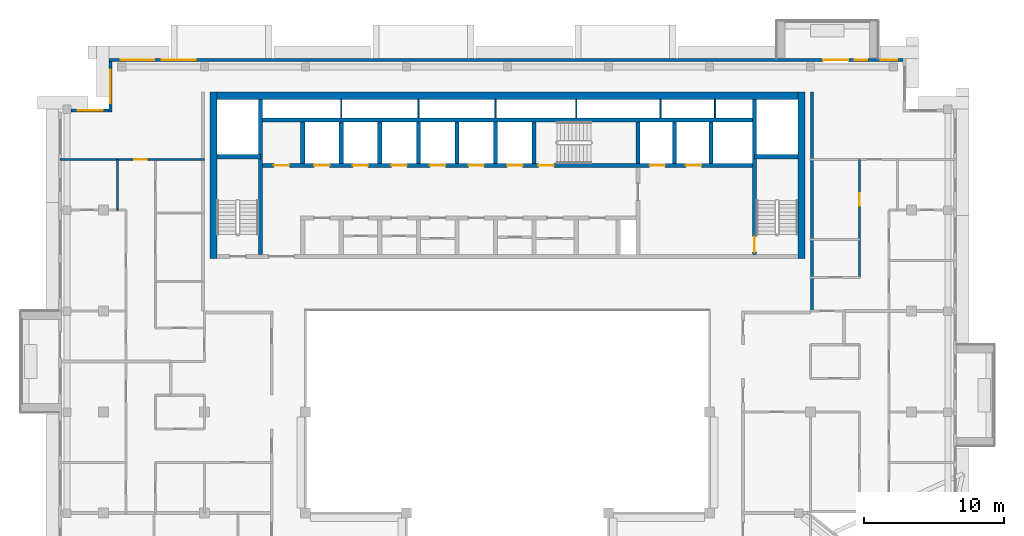
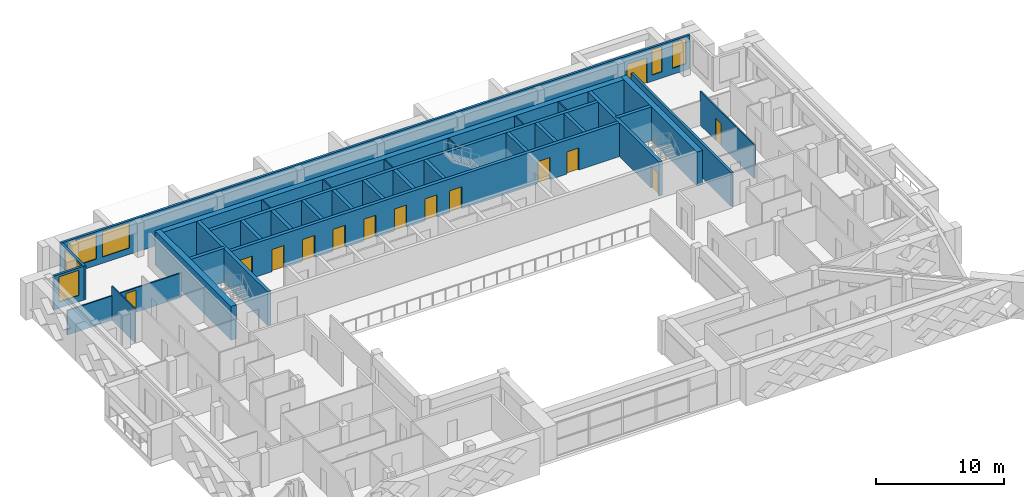
# One storey, part 10 of 18: 32 walls, 14 doors, 6 windows, 20 openings.
"""IFC4 building model written with IfcOpenShell, lengths in metres."""

from ifc_helpers import new_model, si_unit, direction, frame, frame_2d, origin, place, context, subcontext, project, spatial, rectangle, extrude, material, layer, layer_set, type_object, element, fill, save


model = new_model("IFC4")

# Units and contexts
model_context = context("Model", 3, precision=1e-05, world=origin(), true_north=direction((0.0, 1.0)))
body_context = subcontext(model_context, "Body", "Model", "MODEL_VIEW")
ifc_project = project(units=[si_unit("LENGTHUNIT", "METRE"), si_unit("AREAUNIT", "SQUARE_METRE"), si_unit("VOLUMEUNIT", "CUBIC_METRE"), si_unit("PLANEANGLEUNIT", "RADIAN"), si_unit("MASSUNIT", "GRAM", prefix="KILO")], contexts=[model_context])

# Site, building, storey
site_placement = place(None, origin())
site = spatial("IfcSite", under=ifc_project, at=site_placement, CompositionType="ELEMENT")
building_placement = place(site_placement, origin())
building = spatial("IfcBuilding", under=site, at=building_placement, Name="Saffron Iwan Residences", CompositionType="ELEMENT")
storey_placement = place(building_placement, frame((0.0, 0.0, 260.5)))
storey = spatial("IfcBuildingStorey", under=building, at=storey_placement, Name="L70", CompositionType="ELEMENT", Elevation=260.5)

# Wall, openings, door, windows
ifc_material_1 = material(Name="Concrete C40/50", Category="concrete")
ifc_layer_1 = layer(ifc_material_1, 0.199951171875)
ifc_layer_set_1 = layer_set([ifc_layer_1], Name="Concrete C40/50")
wall_type_1 = type_object("IfcWallType", Name="EXTERNAL WALL 200", PredefinedType="SOLIDWALL", material=ifc_layer_set_1)
wall_1_placement = place(storey_placement, frame((78.60009765625, 80.300048828125, 0.0), z_axis=(0.0, 0.0, 1.0), x_axis=(-1.0, 0.0, 0.0)))
wall_1 = element("IfcWall", 1, at=wall_1_placement, inside=storey, type_object=wall_type_1, Name="External wall L70 F5.0", PredefinedType="SOLIDWALL", context=body_context, shape_type="SweptSolid", body=[
    extrude(rectangle(XDim=56.60009765625, YDim=0.199951171875, at=frame_2d((28.300048828125, 0.0))), origin(), (0.0, 0.0, 1.0), 3.219970703125),
])
opening_1_placement = place(wall_1_placement, frame((3.89990234375, 0.0, 0.0)))
opening_1 = element("IfcOpeningElement", 2, at=opening_1_placement, cuts=wall_1, Name="Opening BD1", PredefinedType="OPENING", context=body_context, shape_type="SweptSolid", body=[
    extrude(rectangle(XDim=1.800048828125, YDim=2.39990234375, at=frame_2d((0.89990234375, 1.199951171875))), frame((0.0, 0.10986328125, 0.0), z_axis=(0.0, -1.0, 0.0), x_axis=(1.0, 0.0, 0.0)), (0.0, 0.0, 1.0), 0.219970703125),
])
opening_2_placement = place(wall_1_placement, frame((50.433349609375, 0.0, 0.60009765625)))
opening_2 = element("IfcOpeningElement", 3, at=opening_2_placement, cuts=wall_1, Name="Opening W1", PredefinedType="OPENING", context=body_context, shape_type="SweptSolid", body=[
    extrude(rectangle(XDim=2.39990234375, YDim=2.39990234375, at=frame_2d((1.199951171875, 1.199951171875))), frame((0.0, 0.10986328125, 0.0), z_axis=(0.0, -1.0, 0.0), x_axis=(1.0, 0.0, 0.0)), (0.0, 0.0, 1.0), 0.219970703125),
])
opening_3_placement = place(wall_1_placement, frame((53.36669921875, 0.0, 0.60009765625)))
opening_3 = element("IfcOpeningElement", 4, at=opening_3_placement, cuts=wall_1, Name="Opening W1", PredefinedType="OPENING", context=body_context, shape_type="SweptSolid", body=[
    extrude(rectangle(XDim=2.39990234375, YDim=2.39990234375, at=frame_2d((1.199951171875, 1.199951171875))), frame((0.0, 0.10986328125, 0.0), z_axis=(0.0, -1.0, 0.0), x_axis=(1.0, 0.0, 0.0)), (0.0, 0.0, 1.0), 0.219970703125),
])
opening_4_placement = place(wall_1_placement, frame((0.39990234375, 0.0, 0.60009765625)))
opening_4 = element("IfcOpeningElement", 5, at=opening_4_placement, cuts=wall_1, Name="Opening W3", PredefinedType="OPENING", context=body_context, shape_type="SweptSolid", body=[
    extrude(rectangle(XDim=1.199951171875, YDim=2.39990234375, at=frame_2d((0.60009765625, 1.199951171875))), frame((0.0, 0.10986328125, 0.0), z_axis=(0.0, -1.0, 0.0), x_axis=(1.0, 0.0, 0.0)), (0.0, 0.0, 1.0), 0.219970703125),
])
opening_5_placement = place(wall_1_placement, frame((2.550048828125, 0.0, 0.60009765625)))
opening_5 = element("IfcOpeningElement", 6, at=opening_5_placement, cuts=wall_1, Name="Opening W10", PredefinedType="OPENING", context=body_context, shape_type="SweptSolid", body=[
    extrude(rectangle(XDim=0.89990234375, YDim=2.39990234375, at=frame_2d((0.449951171875, 1.199951171875))), frame((0.0, 0.10986328125, 0.0), z_axis=(0.0, -1.0, 0.0), x_axis=(1.0, 0.0, 0.0)), (0.0, 0.0, 1.0), 0.219970703125),
])
ifc_material_2 = material(Name="Clear glass, laminated double glazed", Category="glass")
door_type_1 = type_object("IfcDoorType", Name="BALCONY DOOR 1800 x 2400", OperationType="DOUBLE_DOOR_SLIDING", PredefinedType="DOOR", material=ifc_material_2)
door_1_placement = place(opening_1_placement, origin())
door_1 = element("IfcDoor", 7, at=door_1_placement, inside=storey, type_object=door_type_1, Name="Balcony door L70 F5.0", OperationType="DOUBLE_DOOR_SLIDING", OverallHeight=2.39990234375, OverallWidth=1.800048828125, PredefinedType="DOOR", context=body_context, shape_type="SweptSolid", body=[
    extrude(rectangle(XDim=1.800048828125, YDim=2.39990234375, at=frame_2d((0.89990234375, 1.199951171875))), frame((0.0, 0.02490234375, 0.0), z_axis=(0.0, -1.0, 0.0), x_axis=(1.0, 0.0, 0.0)), (0.0, 0.0, 1.0), 0.050048828125),
])
fill(opening_1, door_1)
window_type_1 = type_object("IfcWindowType", Name="WINDOW 1200 x 2400", PartitioningType="SINGLE_PANEL", PredefinedType="WINDOW", material=ifc_material_2)
window_1_placement = place(opening_4_placement, origin())
window_1 = element("IfcWindow", 8, at=window_1_placement, inside=storey, type_object=window_type_1, Name="Window L70 F5.3", OverallHeight=2.39990234375, OverallWidth=1.199951171875, PartitioningType="SINGLE_PANEL", PredefinedType="WINDOW", context=body_context, shape_type="SweptSolid", body=[
    extrude(rectangle(XDim=1.199951171875, YDim=2.39990234375, at=frame_2d((0.60009765625, 1.199951171875))), frame((0.0, 0.030029296875, 0.0), z_axis=(0.0, -1.0, 0.0), x_axis=(1.0, 0.0, 0.0)), (0.0, 0.0, 1.0), 0.06005859375),
])
fill(opening_4, window_1)
window_type_2 = type_object("IfcWindowType", Name="WINDOW 2400 x 2400", PartitioningType="DOUBLE_PANEL_VERTICAL", PredefinedType="WINDOW", material=ifc_material_2)
window_2_placement = place(opening_2_placement, origin())
window_2 = element("IfcWindow", 9, at=window_2_placement, inside=storey, type_object=window_type_2, Name="Window L70 F5.1", OverallHeight=2.39990234375, OverallWidth=2.39990234375, PartitioningType="DOUBLE_PANEL_VERTICAL", PredefinedType="WINDOW", context=body_context, shape_type="SweptSolid", body=[
    extrude(rectangle(XDim=2.39990234375, YDim=2.39990234375, at=frame_2d((1.199951171875, 1.199951171875))), frame((0.0, 0.030029296875, 0.0), z_axis=(0.0, -1.0, 0.0), x_axis=(1.0, 0.0, 0.0)), (0.0, 0.0, 1.0), 0.06005859375),
])
fill(opening_2, window_2)
window_3_placement = place(opening_3_placement, origin())
window_3 = element("IfcWindow", 10, at=window_3_placement, inside=storey, type_object=window_type_2, Name="Window L70 F5.2", OverallHeight=2.39990234375, OverallWidth=2.39990234375, PartitioningType="DOUBLE_PANEL_VERTICAL", PredefinedType="WINDOW", context=body_context, shape_type="SweptSolid", body=[
    extrude(rectangle(XDim=2.39990234375, YDim=2.39990234375, at=frame_2d((1.199951171875, 1.199951171875))), frame((0.0, 0.030029296875, 0.0), z_axis=(0.0, -1.0, 0.0), x_axis=(1.0, 0.0, 0.0)), (0.0, 0.0, 1.0), 0.06005859375),
])
fill(opening_3, window_3)
window_type_3 = type_object("IfcWindowType", Name="WINDOW 900 x 2400", PartitioningType="SINGLE_PANEL", PredefinedType="WINDOW", material=ifc_material_2)
window_4_placement = place(opening_5_placement, origin())
window_4 = element("IfcWindow", 11, at=window_4_placement, inside=storey, type_object=window_type_3, Name="Window L70 F5.4", OverallHeight=2.39990234375, OverallWidth=0.89990234375, PartitioningType="SINGLE_PANEL", PredefinedType="WINDOW", context=body_context, shape_type="SweptSolid", body=[
    extrude(rectangle(XDim=0.89990234375, YDim=2.39990234375, at=frame_2d((0.449951171875, 1.199951171875))), frame((0.0, 0.030029296875, 0.0), z_axis=(0.0, -1.0, 0.0), x_axis=(1.0, 0.0, 0.0)), (0.0, 0.0, 1.0), 0.06005859375),
])
fill(opening_5, window_4)

# Wall, opening, window
wall_2_placement = place(storey_placement, frame((22.10009765625, 80.199951171875, 0.0), z_axis=(0.0, 0.0, 1.0), x_axis=(0.0, -1.0, 0.0)))
wall_2 = element("IfcWall", 12, at=wall_2_placement, inside=storey, type_object=wall_type_1, Name="External wall L70 F6.0", PredefinedType="SOLIDWALL", context=body_context, shape_type="SweptSolid", body=[
    extrude(rectangle(XDim=3.599853515625, YDim=0.199951171875, at=frame_2d((1.7998046875, 0.0))), origin(), (0.0, 0.0, 1.0), 3.219970703125),
])
opening_6_placement = place(wall_2_placement, frame((0.60009765625, 0.0, 0.60009765625)))
opening_6 = element("IfcOpeningElement", 13, at=opening_6_placement, cuts=wall_2, Name="Opening W1", PredefinedType="OPENING", context=body_context, shape_type="SweptSolid", body=[
    extrude(rectangle(XDim=2.39990234375, YDim=2.39990234375, at=frame_2d((1.199951171875, 1.199951171875))), frame((0.0, 0.10986328125, 0.0), z_axis=(0.0, -1.0, 0.0), x_axis=(1.0, 0.0, 0.0)), (0.0, 0.0, 1.0), 0.219970703125),
])
window_5_placement = place(opening_6_placement, origin())
window_5 = element("IfcWindow", 14, at=window_5_placement, inside=storey, type_object=window_type_2, Name="Window L70 F6.0", OverallHeight=2.39990234375, OverallWidth=2.39990234375, PartitioningType="DOUBLE_PANEL_VERTICAL", PredefinedType="WINDOW", context=body_context, shape_type="SweptSolid", body=[
    extrude(rectangle(XDim=2.39990234375, YDim=2.39990234375, at=frame_2d((1.199951171875, 1.199951171875))), frame((0.0, 0.030029296875, 0.0), z_axis=(0.0, -1.0, 0.0), x_axis=(1.0, 0.0, 0.0)), (0.0, 0.0, 1.0), 0.06005859375),
])
fill(opening_6, window_5)

wall_3_placement = place(storey_placement, frame((22.0, 76.699951171875, 0.0), z_axis=(0.0, 0.0, 1.0), x_axis=(-1.0, 0.0, 0.0)))
wall_3 = element("IfcWall", 15, at=wall_3_placement, inside=storey, type_object=wall_type_1, Name="External wall L70 F7.0", PredefinedType="SOLIDWALL", context=body_context, shape_type="SweptSolid", body=[
    extrude(rectangle(XDim=2.699951171875, YDim=0.199951171875, at=frame_2d((1.35009765625, 0.0))), origin(), (0.0, 0.0, 1.0), 3.219970703125),
])
opening_7_placement = place(wall_3_placement, frame((0.449951171875, 0.0, 0.60009765625)))
opening_7 = element("IfcOpeningElement", 16, at=opening_7_placement, cuts=wall_3, Name="Opening W8", PredefinedType="OPENING", context=body_context, shape_type="SweptSolid", body=[
    extrude(rectangle(XDim=1.800048828125, YDim=2.39990234375, at=frame_2d((0.89990234375, 1.199951171875))), frame((0.0, 0.10986328125, 0.0), z_axis=(0.0, -1.0, 0.0), x_axis=(1.0, 0.0, 0.0)), (0.0, 0.0, 1.0), 0.219970703125),
])
window_type_4 = type_object("IfcWindowType", Name="WINDOW 1800 x 2400", PartitioningType="DOUBLE_PANEL_VERTICAL", PredefinedType="WINDOW", material=ifc_material_2)
window_6_placement = place(opening_7_placement, origin())
window_6 = element("IfcWindow", 17, at=window_6_placement, inside=storey, type_object=window_type_4, Name="Window L70 F7.0", OverallHeight=2.39990234375, OverallWidth=1.800048828125, PartitioningType="DOUBLE_PANEL_VERTICAL", PredefinedType="WINDOW", context=body_context, shape_type="SweptSolid", body=[
    extrude(rectangle(XDim=1.800048828125, YDim=2.39990234375, at=frame_2d((0.89990234375, 1.199951171875))), frame((0.0, 0.030029296875, 0.0), z_axis=(0.0, -1.0, 0.0), x_axis=(1.0, 0.0, 0.0)), (0.0, 0.0, 1.0), 0.06005859375),
])
fill(opening_7, window_6)

# Wall, opening, door
ifc_material_3 = material(Name="Gypsum board partition")
ifc_layer_2 = layer(ifc_material_3, 0.1201171875)
ifc_layer_set_2 = layer_set([ifc_layer_2], Name="Gypsum board partition")
wall_type_2 = type_object("IfcWallType", Name="Flat partition 120", PredefinedType="PARTITIONING", material=ifc_layer_set_2)
wall_4_placement = place(storey_placement, frame((18.52490234375, 73.199951171875, 0.0), z_axis=(0.0, 0.0, 1.0), x_axis=(1.0, 0.0, 0.0)))
wall_4 = element("IfcWall", 18, at=wall_4_placement, inside=storey, type_object=wall_type_2, Name="W-L70-PART-h73.2-18.525", PredefinedType="PARTITIONING", context=body_context, shape_type="SweptSolid", body=[
    extrude(rectangle(XDim=10.275146484375, YDim=0.1201171875, at=frame_2d((5.1376953125, 0.0))), origin(), (0.0, 0.0, 1.0), 2.320068359375),
])
opening_8_placement = place(wall_4_placement, frame((5.27490234375, 0.0, 0.0)))
opening_8 = element("IfcOpeningElement", 19, at=opening_8_placement, cuts=wall_4, Name="Opening FD2", PredefinedType="OPENING", context=body_context, shape_type="SweptSolid", body=[
    extrude(rectangle(XDim=0.89990234375, YDim=2.10009765625, at=frame_2d((0.449951171875, 1.050048828125))), frame((0.0, 0.070068359375, 0.0), z_axis=(0.0, -1.0, 0.0), x_axis=(1.0, 0.0, 0.0)), (0.0, 0.0, 1.0), 0.14013671875),
])
ifc_material_4 = material(Name="Timber door", Category="wood")
door_type_2 = type_object("IfcDoorType", Name="Flat door 900", OperationType="NOTDEFINED", PredefinedType="DOOR", material=ifc_material_4)
door_2_placement = place(opening_8_placement, origin())
door_2 = element("IfcDoor", 20, at=door_2_placement, inside=storey, type_object=door_type_2, Name="Door L70-025", OperationType="SINGLE_SWING_LEFT", OverallHeight=2.10009765625, OverallWidth=0.89990234375, PredefinedType="DOOR", context=body_context, shape_type="SweptSolid", body=[
    extrude(rectangle(XDim=0.89990234375, YDim=2.10009765625, at=frame_2d((0.449951171875, 1.050048828125))), frame((0.0, 0.02490234375, 0.0), z_axis=(0.0, -1.0, 0.0), x_axis=(1.0, 0.0, 0.0)), (0.0, 0.0, 1.0), 0.050048828125),
])
fill(opening_8, door_2)

# Wall
wall_5_placement = place(storey_placement, frame((22.60009765625, 69.60009765625, 0.0), z_axis=(0.0, 0.0, 1.0), x_axis=(0.0, 1.0, 0.0)))
element("IfcWall", 21, at=wall_5_placement, inside=storey, type_object=wall_type_2, Name="W-L70-PART-v22.6-69.6", PredefinedType="PARTITIONING", context=body_context, shape_type="SweptSolid", body=[
    extrude(rectangle(XDim=3.599853515625, YDim=0.1201171875, at=frame_2d((1.7998046875, 0.0))), origin(), (0.0, 0.0, 1.0), 3.219970703125),
])

# Wall, opening, door
wall_6_placement = place(storey_placement, frame((75.5, 64.800048828125, 0.0), z_axis=(0.0, 0.0, 1.0), x_axis=(0.0, 1.0, 0.0)))
wall_6 = element("IfcWall", 22, at=wall_6_placement, inside=storey, type_object=wall_type_2, Name="W-L70-PART-v75.5-64.8", PredefinedType="PARTITIONING", context=body_context, shape_type="SweptSolid", body=[
    extrude(rectangle(XDim=8.39990234375, YDim=0.1201171875, at=frame_2d((4.199951171875, 0.0))), origin(), (0.0, 0.0, 1.0), 3.219970703125),
])
opening_9_placement = place(wall_6_placement, frame((5.10009765625, 0.0, 0.0)))
opening_9 = element("IfcOpeningElement", 23, at=opening_9_placement, cuts=wall_6, Name="Opening FD2", PredefinedType="OPENING", context=body_context, shape_type="SweptSolid", body=[
    extrude(rectangle(XDim=0.89990234375, YDim=2.10009765625, at=frame_2d((0.449951171875, 1.050048828125))), frame((0.0, 0.070068359375, 0.0), z_axis=(0.0, -1.0, 0.0), x_axis=(1.0, 0.0, 0.0)), (0.0, 0.0, 1.0), 0.14013671875),
])
door_3_placement = place(opening_9_placement, origin())
door_3 = element("IfcDoor", 24, at=door_3_placement, inside=storey, type_object=door_type_2, Name="Door L70-036", OperationType="SINGLE_SWING_RIGHT", OverallHeight=2.10009765625, OverallWidth=0.89990234375, PredefinedType="DOOR", context=body_context, shape_type="SweptSolid", body=[
    extrude(rectangle(XDim=0.89990234375, YDim=2.10009765625, at=frame_2d((0.449951171875, 1.050048828125))), frame((0.0, 0.02490234375, 0.0), z_axis=(0.0, -1.0, 0.0), x_axis=(1.0, 0.0, 0.0)), (0.0, 0.0, 1.0), 0.050048828125),
])
fill(opening_9, door_3)

# Walls
ifc_material_5 = material(Name="Fire-rated gypsum board wall")
ifc_layer_3 = layer(ifc_material_5, 0.199951171875)
ifc_layer_set_3 = layer_set([ifc_layer_3], Name="Fire-rated gypsum board wall")
wall_type_3 = type_object("IfcWallType", Name="Gallery wall 200", PredefinedType="SOLIDWALL", material=ifc_layer_set_3)
wall_7_placement = place(storey_placement, frame((72.10009765625, 62.39990234375, 0.0), z_axis=(0.0, 0.0, 1.0), x_axis=(0.0, 1.0, 0.0)))
element("IfcWall", 25, at=wall_7_placement, inside=storey, type_object=wall_type_3, Name="W-L70-CORR-v72-62.4", PredefinedType="SOLIDWALL", context=body_context, shape_type="SweptSolid", body=[
    extrude(rectangle(XDim=15.60009765625, YDim=0.199951171875, at=frame_2d((7.800048828125, 0.0))), origin(), (0.0, 0.0, 1.0), 3.219970703125),
])
ifc_material_6 = material(Name="Fire-rated plasterboard partition")
ifc_layer_4 = layer(ifc_material_6, 0.10009765625)
ifc_layer_set_4 = layer_set([ifc_layer_4], Name="Fire-rated plasterboard partition")
wall_type_4 = type_object("IfcWallType", Name="Riser partition 100", PredefinedType="PARTITIONING", material=ifc_layer_set_4)
for number, where, z_axis, x_axis, name in (
    (26, (38.550048828125, 76.175048828125, 0.0), (0.0, 0.0, 1.0), (0.0, 1.0, 0.0), "Core partition P06"),
    (27, (44.050048828125, 76.175048828125, 0.0), (0.0, 0.0, 1.0), (0.0, 1.0, 0.0), "Core partition P07"),
    (28, (49.550048828125, 76.175048828125, 0.0), (0.0, 0.0, 1.0), (0.0, 1.0, 0.0), "Core partition P08"),
    (29, (55.300048828125, 76.175048828125, 0.0), (0.0, 0.0, 1.0), (0.0, 1.0, 0.0), "Core partition P09"),
    (30, (61.300048828125, 76.175048828125, 0.0), (0.0, 0.0, 1.0), (0.0, 1.0, 0.0), "Core partition P10"),
    (31, (65.199951171875, 76.175048828125, 0.0), (0.0, 0.0, 1.0), (0.0, 1.0, 0.0), "Core partition P11"),
):
    element("IfcWall", number, at=place(storey_placement, frame(where, z_axis=z_axis, x_axis=x_axis)), inside=storey, type_object=wall_type_4, Name=name, PredefinedType="PARTITIONING", context=body_context, shape_type="SweptSolid", body=[
        extrude(rectangle(XDim=1.324951171875, YDim=0.10009765625, at=frame_2d((0.66259765625, 0.0))), origin(), (0.0, 0.0, 1.0), 3.219970703125),
    ])

# Wall, openings, doors
ifc_layer_5 = layer(ifc_material_1, 0.300048828125)
ifc_layer_set_5 = layer_set([ifc_layer_5], Name="Concrete C40/50")
wall_type_5 = type_object("IfcWallType", Name="WALL CORE 300 C40/50 3220 HIGH", PredefinedType="SHEAR", material=ifc_layer_set_5)
wall_8_placement = place(storey_placement, frame((32.800048828125, 72.77490234375, 0.0), z_axis=(0.0, 0.0, 1.0), x_axis=(1.0, 0.0, 0.0)))
wall_8 = element("IfcWall", 32, at=wall_8_placement, inside=storey, type_object=wall_type_5, Name="Core wall", PredefinedType="SHEAR", context=body_context, shape_type="SweptSolid", body=[
    extrude(rectangle(XDim=35.199951171875, YDim=0.300048828125, at=frame_2d((17.60009765625, 0.0))), origin(), (0.0, 0.0, 1.0), 3.219970703125),
])
opening_10_placement = place(wall_8_placement, frame((19.800048828125, 0.0, 0.0)))
opening_10 = element("IfcOpeningElement", 33, at=opening_10_placement, cuts=wall_8, Name="Opening SD", PredefinedType="OPENING", context=body_context, shape_type="SweptSolid", body=[
    extrude(rectangle(XDim=1.10009765625, YDim=2.10009765625, at=frame_2d((0.550048828125, 1.050048828125))), frame((0.0, 0.16015625, 0.0), z_axis=(0.0, -1.0, 0.0), x_axis=(1.0, 0.0, 0.0)), (0.0, 0.0, 1.0), 0.320068359375),
])
opening_11_placement = place(wall_8_placement, frame((27.72509765625, 0.0, 0.0)))
opening_11 = element("IfcOpeningElement", 34, at=opening_11_placement, cuts=wall_8, Name="Opening LD", PredefinedType="OPENING", context=body_context, shape_type="SweptSolid", body=[
    extrude(rectangle(XDim=1.10009765625, YDim=2.10009765625, at=frame_2d((0.550048828125, 1.050048828125))), frame((0.0, 0.16015625, 0.0), z_axis=(0.0, -1.0, 0.0), x_axis=(1.0, 0.0, 0.0)), (0.0, 0.0, 1.0), 0.320068359375),
])
opening_12_placement = place(wall_8_placement, frame((30.324951171875, 0.0, 0.0)))
opening_12 = element("IfcOpeningElement", 35, at=opening_12_placement, cuts=wall_8, Name="Opening LD", PredefinedType="OPENING", context=body_context, shape_type="SweptSolid", body=[
    extrude(rectangle(XDim=1.10009765625, YDim=2.10009765625, at=frame_2d((0.550048828125, 1.050048828125))), frame((0.0, 0.16015625, 0.0), z_axis=(0.0, -1.0, 0.0), x_axis=(1.0, 0.0, 0.0)), (0.0, 0.0, 1.0), 0.320068359375),
])
opening_13_placement = place(wall_8_placement, frame((3.824951171875, 0.0, 0.0)))
opening_13 = element("IfcOpeningElement", 36, at=opening_13_placement, cuts=wall_8, Name="Opening LD", PredefinedType="OPENING", context=body_context, shape_type="SweptSolid", body=[
    extrude(rectangle(XDim=1.10009765625, YDim=2.10009765625, at=frame_2d((0.550048828125, 1.050048828125))), frame((0.0, 0.16015625, 0.0), z_axis=(0.0, -1.0, 0.0), x_axis=(1.0, 0.0, 0.0)), (0.0, 0.0, 1.0), 0.320068359375),
])
opening_14_placement = place(wall_8_placement, frame((6.574951171875, 0.0, 0.0)))
opening_14 = element("IfcOpeningElement", 37, at=opening_14_placement, cuts=wall_8, Name="Opening LD", PredefinedType="OPENING", context=body_context, shape_type="SweptSolid", body=[
    extrude(rectangle(XDim=1.10009765625, YDim=2.10009765625, at=frame_2d((0.550048828125, 1.050048828125))), frame((0.0, 0.16015625, 0.0), z_axis=(0.0, -1.0, 0.0), x_axis=(1.0, 0.0, 0.0)), (0.0, 0.0, 1.0), 0.320068359375),
])
opening_15_placement = place(wall_8_placement, frame((9.324951171875, 0.0, 0.0)))
opening_15 = element("IfcOpeningElement", 38, at=opening_15_placement, cuts=wall_8, Name="Opening LD", PredefinedType="OPENING", context=body_context, shape_type="SweptSolid", body=[
    extrude(rectangle(XDim=1.10009765625, YDim=2.10009765625, at=frame_2d((0.550048828125, 1.050048828125))), frame((0.0, 0.16015625, 0.0), z_axis=(0.0, -1.0, 0.0), x_axis=(1.0, 0.0, 0.0)), (0.0, 0.0, 1.0), 0.320068359375),
])
opening_16_placement = place(wall_8_placement, frame((12.074951171875, 0.0, 0.0)))
opening_16 = element("IfcOpeningElement", 39, at=opening_16_placement, cuts=wall_8, Name="Opening LD", PredefinedType="OPENING", context=body_context, shape_type="SweptSolid", body=[
    extrude(rectangle(XDim=1.10009765625, YDim=2.10009765625, at=frame_2d((0.550048828125, 1.050048828125))), frame((0.0, 0.16015625, 0.0), z_axis=(0.0, -1.0, 0.0), x_axis=(1.0, 0.0, 0.0)), (0.0, 0.0, 1.0), 0.320068359375),
])
opening_17_placement = place(wall_8_placement, frame((14.824951171875, 0.0, 0.0)))
opening_17 = element("IfcOpeningElement", 40, at=opening_17_placement, cuts=wall_8, Name="Opening LD", PredefinedType="OPENING", context=body_context, shape_type="SweptSolid", body=[
    extrude(rectangle(XDim=1.10009765625, YDim=2.10009765625, at=frame_2d((0.550048828125, 1.050048828125))), frame((0.0, 0.16015625, 0.0), z_axis=(0.0, -1.0, 0.0), x_axis=(1.0, 0.0, 0.0)), (0.0, 0.0, 1.0), 0.320068359375),
])
opening_18_placement = place(wall_8_placement, frame((17.574951171875, 0.0, 0.0)))
opening_18 = element("IfcOpeningElement", 41, at=opening_18_placement, cuts=wall_8, Name="Opening LD", PredefinedType="OPENING", context=body_context, shape_type="SweptSolid", body=[
    extrude(rectangle(XDim=1.10009765625, YDim=2.10009765625, at=frame_2d((0.550048828125, 1.050048828125))), frame((0.0, 0.16015625, 0.0), z_axis=(0.0, -1.0, 0.0), x_axis=(1.0, 0.0, 0.0)), (0.0, 0.0, 1.0), 0.320068359375),
])
opening_19_placement = place(wall_8_placement, frame((0.949951171875, 0.0, 0.0)))
opening_19 = element("IfcOpeningElement", 42, at=opening_19_placement, cuts=wall_8, Name="Opening SR", PredefinedType="OPENING", context=body_context, shape_type="SweptSolid", body=[
    extrude(rectangle(XDim=1.10009765625, YDim=2.10009765625, at=frame_2d((0.550048828125, 1.050048828125))), frame((0.0, 0.16015625, 0.0), z_axis=(0.0, -1.0, 0.0), x_axis=(1.0, 0.0, 0.0)), (0.0, 0.0, 1.0), 0.320068359375),
])
ifc_material_7 = material(Name="Steel fire door", Category="steel")
door_type_3 = type_object("IfcDoorType", Name="Lift landing door 1100", OperationType="SLIDING_TO_LEFT", PredefinedType="DOOR", material=ifc_material_7)
door_4_placement = place(opening_11_placement, origin())
door_4 = element("IfcDoor", 43, at=door_4_placement, inside=storey, type_object=door_type_3, Name="Landing doors FF1", OperationType="SLIDING_TO_LEFT", OverallHeight=2.10009765625, OverallWidth=1.10009765625, PredefinedType="DOOR", context=body_context, shape_type="SweptSolid", body=[
    extrude(rectangle(XDim=1.10009765625, YDim=2.10009765625, at=frame_2d((0.550048828125, 1.050048828125))), frame((0.0, 0.02490234375, 0.0), z_axis=(0.0, -1.0, 0.0), x_axis=(1.0, 0.0, 0.0)), (0.0, 0.0, 1.0), 0.050048828125),
])
fill(opening_11, door_4)
door_5_placement = place(opening_12_placement, origin())
door_5 = element("IfcDoor", 44, at=door_5_placement, inside=storey, type_object=door_type_3, Name="Landing doors FF2", OperationType="SLIDING_TO_LEFT", OverallHeight=2.10009765625, OverallWidth=1.10009765625, PredefinedType="DOOR", context=body_context, shape_type="SweptSolid", body=[
    extrude(rectangle(XDim=1.10009765625, YDim=2.10009765625, at=frame_2d((0.550048828125, 1.050048828125))), frame((0.0, 0.02490234375, 0.0), z_axis=(0.0, -1.0, 0.0), x_axis=(1.0, 0.0, 0.0)), (0.0, 0.0, 1.0), 0.050048828125),
])
fill(opening_12, door_5)
door_6_placement = place(opening_13_placement, origin())
door_6 = element("IfcDoor", 45, at=door_6_placement, inside=storey, type_object=door_type_3, Name="Landing doors HR1", OperationType="SLIDING_TO_LEFT", OverallHeight=2.10009765625, OverallWidth=1.10009765625, PredefinedType="DOOR", context=body_context, shape_type="SweptSolid", body=[
    extrude(rectangle(XDim=1.10009765625, YDim=2.10009765625, at=frame_2d((0.550048828125, 1.050048828125))), frame((0.0, 0.02490234375, 0.0), z_axis=(0.0, -1.0, 0.0), x_axis=(1.0, 0.0, 0.0)), (0.0, 0.0, 1.0), 0.050048828125),
])
fill(opening_13, door_6)
door_7_placement = place(opening_14_placement, origin())
door_7 = element("IfcDoor", 46, at=door_7_placement, inside=storey, type_object=door_type_3, Name="Landing doors HR2", OperationType="SLIDING_TO_LEFT", OverallHeight=2.10009765625, OverallWidth=1.10009765625, PredefinedType="DOOR", context=body_context, shape_type="SweptSolid", body=[
    extrude(rectangle(XDim=1.10009765625, YDim=2.10009765625, at=frame_2d((0.550048828125, 1.050048828125))), frame((0.0, 0.02490234375, 0.0), z_axis=(0.0, -1.0, 0.0), x_axis=(1.0, 0.0, 0.0)), (0.0, 0.0, 1.0), 0.050048828125),
])
fill(opening_14, door_7)
door_8_placement = place(opening_15_placement, origin())
door_8 = element("IfcDoor", 47, at=door_8_placement, inside=storey, type_object=door_type_3, Name="Landing doors HR3", OperationType="SLIDING_TO_LEFT", OverallHeight=2.10009765625, OverallWidth=1.10009765625, PredefinedType="DOOR", context=body_context, shape_type="SweptSolid", body=[
    extrude(rectangle(XDim=1.10009765625, YDim=2.10009765625, at=frame_2d((0.550048828125, 1.050048828125))), frame((0.0, 0.02490234375, 0.0), z_axis=(0.0, -1.0, 0.0), x_axis=(1.0, 0.0, 0.0)), (0.0, 0.0, 1.0), 0.050048828125),
])
fill(opening_15, door_8)
door_9_placement = place(opening_16_placement, origin())
door_9 = element("IfcDoor", 48, at=door_9_placement, inside=storey, type_object=door_type_3, Name="Landing doors HR4", OperationType="SLIDING_TO_LEFT", OverallHeight=2.10009765625, OverallWidth=1.10009765625, PredefinedType="DOOR", context=body_context, shape_type="SweptSolid", body=[
    extrude(rectangle(XDim=1.10009765625, YDim=2.10009765625, at=frame_2d((0.550048828125, 1.050048828125))), frame((0.0, 0.02490234375, 0.0), z_axis=(0.0, -1.0, 0.0), x_axis=(1.0, 0.0, 0.0)), (0.0, 0.0, 1.0), 0.050048828125),
])
fill(opening_16, door_9)
door_10_placement = place(opening_17_placement, origin())
door_10 = element("IfcDoor", 49, at=door_10_placement, inside=storey, type_object=door_type_3, Name="Landing doors HR5", OperationType="SLIDING_TO_LEFT", OverallHeight=2.10009765625, OverallWidth=1.10009765625, PredefinedType="DOOR", context=body_context, shape_type="SweptSolid", body=[
    extrude(rectangle(XDim=1.10009765625, YDim=2.10009765625, at=frame_2d((0.550048828125, 1.050048828125))), frame((0.0, 0.02490234375, 0.0), z_axis=(0.0, -1.0, 0.0), x_axis=(1.0, 0.0, 0.0)), (0.0, 0.0, 1.0), 0.050048828125),
])
fill(opening_17, door_10)
door_11_placement = place(opening_18_placement, origin())
door_11 = element("IfcDoor", 50, at=door_11_placement, inside=storey, type_object=door_type_3, Name="Landing doors HR6", OperationType="SLIDING_TO_LEFT", OverallHeight=2.10009765625, OverallWidth=1.10009765625, PredefinedType="DOOR", context=body_context, shape_type="SweptSolid", body=[
    extrude(rectangle(XDim=1.10009765625, YDim=2.10009765625, at=frame_2d((0.550048828125, 1.050048828125))), frame((0.0, 0.02490234375, 0.0), z_axis=(0.0, -1.0, 0.0), x_axis=(1.0, 0.0, 0.0)), (0.0, 0.0, 1.0), 0.050048828125),
])
fill(opening_18, door_11)
door_type_4 = type_object("IfcDoorType", Name="Service door 1100", OperationType="NOTDEFINED", PredefinedType="DOOR", material=ifc_material_7)
door_12_placement = place(opening_19_placement, origin())
door_12 = element("IfcDoor", 51, at=door_12_placement, inside=storey, type_object=door_type_4, Name="Door Storage room", OperationType="SINGLE_SWING_LEFT", OverallHeight=2.10009765625, OverallWidth=1.10009765625, PredefinedType="DOOR", context=body_context, shape_type="SweptSolid", body=[
    extrude(rectangle(XDim=1.10009765625, YDim=2.10009765625, at=frame_2d((0.550048828125, 1.050048828125))), frame((0.0, 0.02490234375, 0.0), z_axis=(0.0, -1.0, 0.0), x_axis=(1.0, 0.0, 0.0)), (0.0, 0.0, 1.0), 0.050048828125),
])
fill(opening_19, door_12)
door_type_5 = type_object("IfcDoorType", Name="Stair door 1100", OperationType="NOTDEFINED", PredefinedType="DOOR", material=ifc_material_7)
door_13_placement = place(opening_10_placement, origin())
door_13 = element("IfcDoor", 52, at=door_13_placement, inside=storey, type_object=door_type_5, Name="Stair door ST-C", OperationType="SINGLE_SWING_LEFT", OverallHeight=2.10009765625, OverallWidth=1.10009765625, PredefinedType="DOOR", context=body_context, shape_type="SweptSolid", body=[
    extrude(rectangle(XDim=1.10009765625, YDim=2.10009765625, at=frame_2d((0.550048828125, 1.050048828125))), frame((0.0, 0.02490234375, 0.0), z_axis=(0.0, -1.0, 0.0), x_axis=(1.0, 0.0, 0.0)), (0.0, 0.0, 1.0), 0.050048828125),
])
fill(opening_10, door_13)

# Walls
wall_9_placement = place(storey_placement, frame((32.800048828125, 76.02490234375, 0.0), z_axis=(0.0, 0.0, 1.0), x_axis=(1.0, 0.0, 0.0)))
element("IfcWall", 53, at=wall_9_placement, inside=storey, type_object=wall_type_5, Name="Core wall", PredefinedType="SHEAR", context=body_context, shape_type="SweptSolid", body=[
    extrude(rectangle(XDim=35.199951171875, YDim=0.300048828125, at=frame_2d((17.60009765625, 0.0))), origin(), (0.0, 0.0, 1.0), 3.219970703125),
])
for number, where, z_axis, x_axis, name in (
    (54, (29.699951171875, 73.39990234375, 0.0), (0.0, 0.0, 1.0), (1.0, 0.0, 0.0), "Core wall"),
    (55, (68.0, 73.39990234375, 0.0), (0.0, 0.0, 1.0), (1.0, 0.0, 0.0), "Core wall"),
):
    element("IfcWall", number, at=place(storey_placement, frame(where, z_axis=z_axis, x_axis=x_axis)), inside=storey, type_object=wall_type_5, Name=name, PredefinedType="SHEAR", context=body_context, shape_type="SweptSolid", body=[
        extrude(rectangle(XDim=3.10009765625, YDim=0.300048828125, at=frame_2d((1.550048828125, 0.0))), origin(), (0.0, 0.0, 1.0), 3.219970703125),
    ])
wall_10_placement = place(storey_placement, frame((32.800048828125, 66.449951171875, 0.0), z_axis=(0.0, 0.0, 1.0), x_axis=(0.0, 1.0, 0.0)))
element("IfcWall", 56, at=wall_10_placement, inside=storey, type_object=wall_type_5, Name="Core wall", PredefinedType="SHEAR", context=body_context, shape_type="SweptSolid", body=[
    extrude(rectangle(XDim=11.050048828125, YDim=0.300048828125, at=frame_2d((5.52490234375, 0.0))), origin(), (0.0, 0.0, 1.0), 3.219970703125),
])

# Wall, opening, door
wall_11_placement = place(storey_placement, frame((68.0, 66.449951171875, 0.0), z_axis=(0.0, 0.0, 1.0), x_axis=(0.0, 1.0, 0.0)))
wall_11 = element("IfcWall", 57, at=wall_11_placement, inside=storey, type_object=wall_type_5, Name="Core wall", PredefinedType="SHEAR", context=body_context, shape_type="SweptSolid", body=[
    extrude(rectangle(XDim=11.050048828125, YDim=0.300048828125, at=frame_2d((5.52490234375, 0.0))), origin(), (0.0, 0.0, 1.0), 3.219970703125),
])
opening_20_placement = place(wall_11_placement, frame((0.14990234375, 0.0, 0.0)))
opening_20 = element("IfcOpeningElement", 58, at=opening_20_placement, cuts=wall_11, Name="Opening SD", PredefinedType="OPENING", context=body_context, shape_type="SweptSolid", body=[
    extrude(rectangle(XDim=1.10009765625, YDim=2.10009765625, at=frame_2d((0.550048828125, 1.050048828125))), frame((0.0, 0.16015625, 0.0), z_axis=(0.0, -1.0, 0.0), x_axis=(1.0, 0.0, 0.0)), (0.0, 0.0, 1.0), 0.320068359375),
])
door_14_placement = place(opening_20_placement, origin())
door_14 = element("IfcDoor", 59, at=door_14_placement, inside=storey, type_object=door_type_5, Name="Stair door ST-E", OperationType="SINGLE_SWING_RIGHT", OverallHeight=2.10009765625, OverallWidth=1.10009765625, PredefinedType="DOOR", context=body_context, shape_type="SweptSolid", body=[
    extrude(rectangle(XDim=1.10009765625, YDim=2.10009765625, at=frame_2d((0.550048828125, 1.050048828125))), frame((0.0, 0.02490234375, 0.0), z_axis=(0.0, -1.0, 0.0), x_axis=(1.0, 0.0, 0.0)), (0.0, 0.0, 1.0), 0.050048828125),
])
fill(opening_20, door_14)

# Walls
for number, where, z_axis, x_axis, name in (
    (60, (59.699951171875, 72.925048828125, 0.0), (0.0, 0.0, 1.0), (0.0, 1.0, 0.0), "Core wall"),
    (61, (35.800048828125, 72.925048828125, 0.0), (0.0, 0.0, 1.0), (0.0, 1.0, 0.0), "Core wall"),
    (62, (38.550048828125, 72.925048828125, 0.0), (0.0, 0.0, 1.0), (0.0, 1.0, 0.0), "Core wall"),
    (63, (41.300048828125, 72.925048828125, 0.0), (0.0, 0.0, 1.0), (0.0, 1.0, 0.0), "Core wall"),
    (64, (44.050048828125, 72.925048828125, 0.0), (0.0, 0.0, 1.0), (0.0, 1.0, 0.0), "Core wall"),
    (65, (46.800048828125, 72.925048828125, 0.0), (0.0, 0.0, 1.0), (0.0, 1.0, 0.0), "Core wall"),
    (66, (49.550048828125, 72.925048828125, 0.0), (0.0, 0.0, 1.0), (0.0, 1.0, 0.0), "Core wall"),
    (67, (52.300048828125, 72.925048828125, 0.0), (0.0, 0.0, 1.0), (0.0, 1.0, 0.0), "Core wall"),
    (68, (62.300048828125, 72.925048828125, 0.0), (0.0, 0.0, 1.0), (0.0, 1.0, 0.0), "Core wall"),
    (69, (64.89990234375, 72.925048828125, 0.0), (0.0, 0.0, 1.0), (0.0, 1.0, 0.0), "Core wall"),
):
    element("IfcWall", number, at=place(storey_placement, frame(where, z_axis=z_axis, x_axis=x_axis)), inside=storey, type_object=wall_type_5, Name=name, PredefinedType="SHEAR", context=body_context, shape_type="SweptSolid", body=[
        extrude(rectangle(XDim=2.949951171875, YDim=0.300048828125, at=frame_2d((1.47509765625, 0.0))), origin(), (0.0, 0.0, 1.0), 3.219970703125),
    ])
ifc_layer_6 = layer(ifc_material_1, 0.5)
ifc_layer_set_6 = layer_set([ifc_layer_6], Name="Concrete C40/50")
wall_type_6 = type_object("IfcWallType", Name="WALL CORE 500 C40/50 3220 HIGH", PredefinedType="SHEAR", material=ifc_layer_set_6)
for number, where, z_axis, x_axis, name in (
    (70, (29.449951171875, 66.14990234375, 0.0), (0.0, 0.0, 1.0), (0.0, 1.0, 0.0), "Core wall"),
    (71, (71.35009765625, 66.14990234375, 0.0), (0.0, 0.0, 1.0), (0.0, 1.0, 0.0), "Core wall"),
):
    element("IfcWall", number, at=place(storey_placement, frame(where, z_axis=z_axis, x_axis=x_axis)), inside=storey, type_object=wall_type_6, Name=name, PredefinedType="SHEAR", context=body_context, shape_type="SweptSolid", body=[
        extrude(rectangle(XDim=11.85009765625, YDim=0.5, at=frame_2d((5.925048828125, 0.0))), origin(), (0.0, 0.0, 1.0), 3.219970703125),
    ])
wall_12_placement = place(storey_placement, frame((29.699951171875, 77.75, 0.0), z_axis=(0.0, 0.0, 1.0), x_axis=(1.0, 0.0, 0.0)))
element("IfcWall", 72, at=wall_12_placement, inside=storey, type_object=wall_type_6, Name="Core wall", PredefinedType="SHEAR", context=body_context, shape_type="SweptSolid", body=[
    extrude(rectangle(XDim=41.400146484375, YDim=0.5, at=frame_2d((20.7001953125, 0.0))), origin(), (0.0, 0.0, 1.0), 3.219970703125),
])

save(model, "model.ifc")
